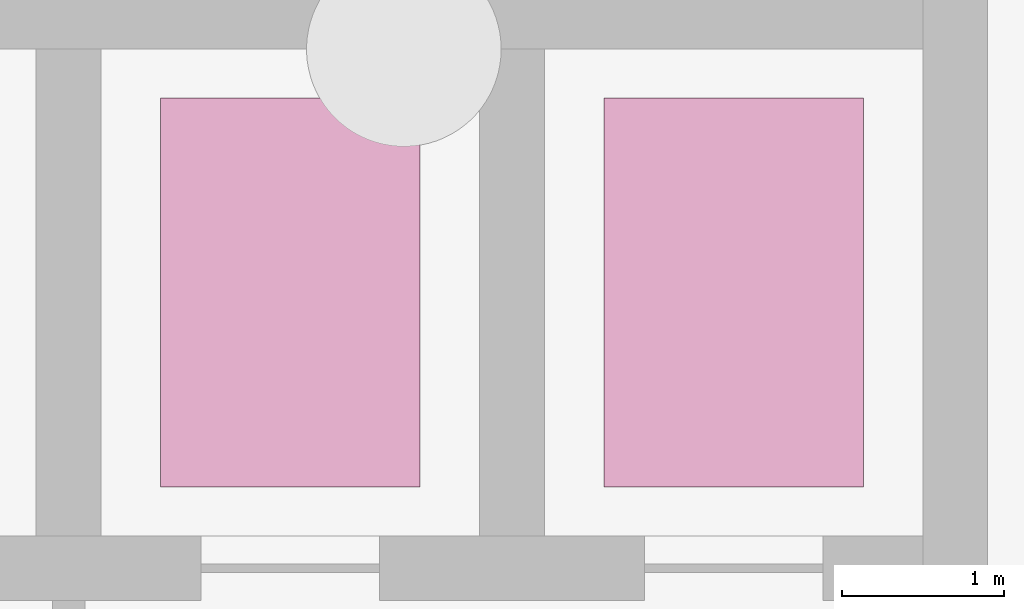
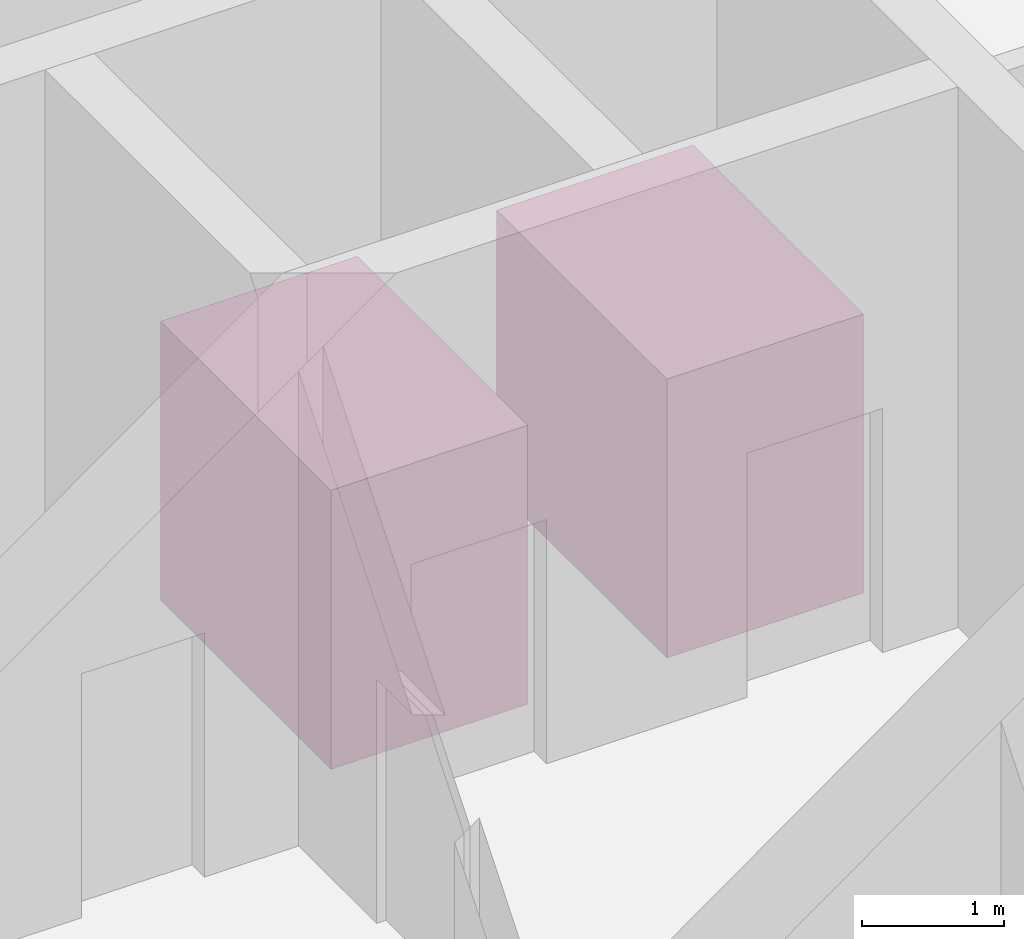
# One storey, part 14 of 14: 2 transport elements.
"""IFC4 building model written with IfcOpenShell, lengths in metres."""

from ifc_helpers import new_model, si_unit, direction, frame, origin, origin_2d, place, context, subcontext, project, spatial, rectangle, extrude, material, type_object, element, save


model = new_model("IFC4")

# Units and contexts
model_context = context("Model", 3, precision=1e-05, world=origin(), true_north=direction((0.0, 1.0)))
body_context = subcontext(model_context, "Body", "Model", "MODEL_VIEW")
ifc_project = project(units=[si_unit("LENGTHUNIT", "METRE"), si_unit("AREAUNIT", "SQUARE_METRE"), si_unit("VOLUMEUNIT", "CUBIC_METRE"), si_unit("PLANEANGLEUNIT", "RADIAN"), si_unit("MASSUNIT", "GRAM", prefix="KILO")], contexts=[model_context])

# Site, building, storey
site_placement = place(None, origin())
site = spatial("IfcSite", under=ifc_project, at=site_placement, CompositionType="ELEMENT")
building_placement = place(site_placement, origin())
building = spatial("IfcBuilding", under=site, at=building_placement, Name="Vidyagriha Tower", CompositionType="ELEMENT")
storey_placement = place(building_placement, frame((0.0, 0.0, -10.0)))
storey = spatial("IfcBuildingStorey", under=building, at=storey_placement, Name="B2", CompositionType="ELEMENT", Elevation=-10.0)

# Transport elements
ifc_material = material(Name="Stainless steel lift car", Category="steel")
transport_element_type = type_object("IfcTransportElementType", Name="Lift car fire service 1600 x 2400 mm", PredefinedType="ELEVATOR", material=ifc_material)
for number, where, name in (
    (1, (5.300048828125, 12.0, 0.0), "Lift FF1"),
    (2, (8.033447265625, 12.0, 0.0), "Lift FF2"),
):
    element("IfcTransportElement", number, at=place(storey_placement, frame(where)), inside=storey, type_object=transport_element_type, Name=name, PredefinedType="ELEVATOR", context=body_context, shape_type="SweptSolid", body=[
        extrude(rectangle(XDim=1.60009765625, YDim=2.39990234375, at=origin_2d()), origin(), (0.0, 0.0, 1.0), 2.39990234375),
    ])

save(model, "model.ifc")
